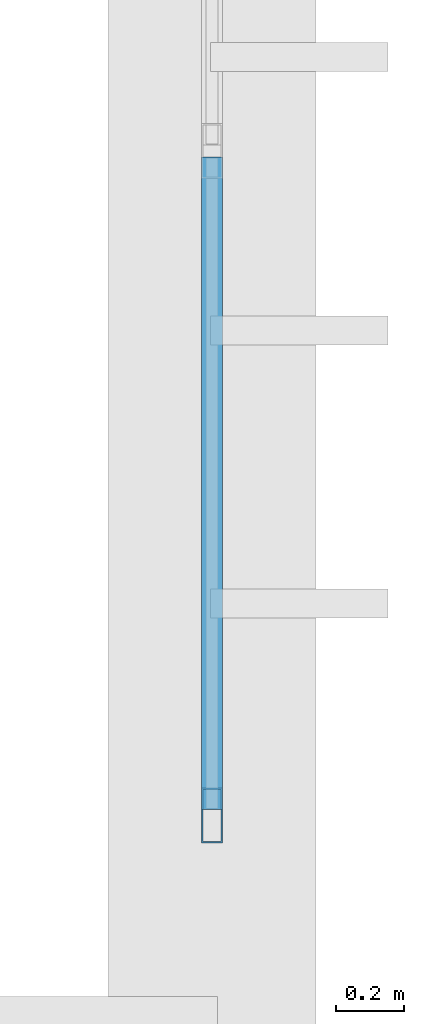
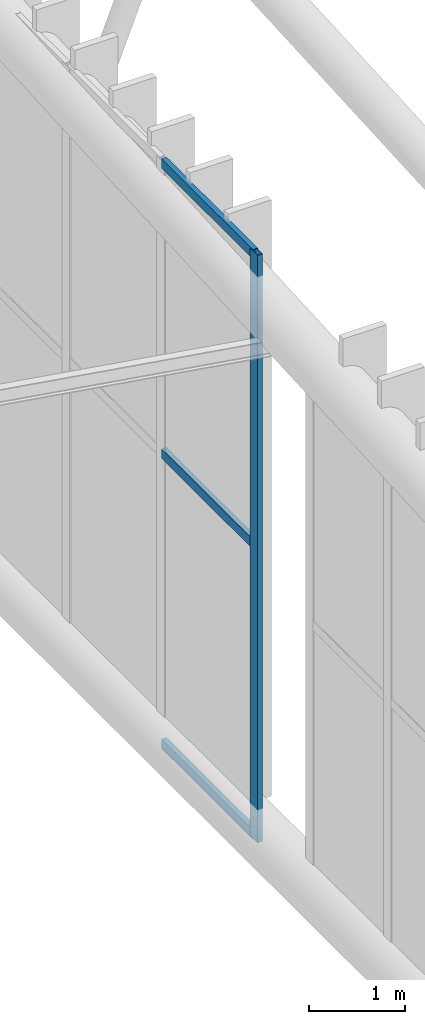
# One storey, part 169 of 397: 4 members, 1 element without a shape of its own.
"""IFC4 building model written with IfcOpenShell, lengths in metres."""

from ifc_helpers import new_model, si_unit, direction, frame, origin, origin_2d, place, context, subcontext, project, spatial, hollow_rectangle, extrude, material, material_profile, profile_set, type_object, element, aggregate, save


model = new_model("IFC4")

# Units and contexts
model_context = context("Model", 3, precision=1e-05, world=origin(), true_north=direction((0.0, 1.0)))
body_context = subcontext(model_context, "Body", "Model", "MODEL_VIEW")
ifc_project = project(units=[si_unit("LENGTHUNIT", "METRE"), si_unit("AREAUNIT", "SQUARE_METRE"), si_unit("VOLUMEUNIT", "CUBIC_METRE"), si_unit("PLANEANGLEUNIT", "RADIAN"), si_unit("MASSUNIT", "GRAM", prefix="KILO")], contexts=[model_context])

# Site, building, storey
site_placement = place(None, origin())
site = spatial("IfcSite", under=ifc_project, at=site_placement, CompositionType="ELEMENT")
building_placement = place(site_placement, origin())
building = spatial("IfcBuilding", under=site, at=building_placement, Name="Qandorah Velis Arena", CompositionType="ELEMENT")
storey_placement = place(building_placement, frame((0.0, 0.0, 27.5)))
storey = spatial("IfcBuildingStorey", under=building, at=storey_placement, Name="RF", CompositionType="ELEMENT", Elevation=27.5)

# Curtain wall, members
ifc_material_1 = material(Name="Solar-control low-E double glazing", Category="glass")
curtain_wall_type = type_object("IfcCurtainWallType", Name="ARC-CW-SYS12", PredefinedType="USERDEFINED", material=ifc_material_1)
curtain_wall_placement = place(storey_placement, origin())
curtain_wall = element("IfcCurtainWall", 1, at=curtain_wall_placement, inside=storey, type_object=curtain_wall_type, Name="Unitised curtain wall CROWN-2-04S1", ObjectType="UNITISED CURTAIN WALL", PredefinedType="USERDEFINED")
ifc_material_2 = material(Name="Champagne-bronze anodized aluminium 6063-T6", Category="aluminium")
ifc_material_profile_1 = material_profile(ifc_material_2, hollow_rectangle(XDim=0.06005859375, YDim=0.159912109375, WallThickness=0.00341796875, at=origin_2d()), Name="ALU MULLION 60x160")
ifc_profile_set_1 = profile_set([ifc_material_profile_1], Name="Champagne-bronze anodized aluminium 6063-T6")
member_type_1 = type_object("IfcMemberType", Name="ARC-CWM-160", PredefinedType="MULLION", material=ifc_profile_set_1)
member_1_placement = place(storey_placement, frame((115.199951171875, 50.97998046875, -0.014892578125), z_axis=(0.0, 0.0, 1.0), x_axis=(-1.0, 0.0, 0.0)))
member_1 = element("IfcMember", 2, at=member_1_placement, type_object=member_type_1, Name="CW12 mullion 1", PredefinedType="MULLION", context=body_context, shape_type="SweptSolid", body=[
    extrude(hollow_rectangle(XDim=0.06005859375, YDim=0.159912109375, WallThickness=0.00341796875, at=origin_2d()), origin(), (0.0, 0.0, 1.0), 7.480712890625),
])
ifc_material_profile_2 = material_profile(ifc_material_2, hollow_rectangle(XDim=0.06005859375, YDim=0.1201171875, WallThickness=0.0029296875, at=origin_2d()), Name="ALU TRANSOM 60x120")
ifc_profile_set_2 = profile_set([ifc_material_profile_2], Name="Champagne-bronze anodized aluminium 6063-T6")
member_type_2 = type_object("IfcMemberType", Name="ARC-CWT-120", PredefinedType="USERDEFINED", material=ifc_profile_set_2)
member_2_placement = place(storey_placement, frame((115.199951171875, 50.998046875, 0.030029296875), z_axis=(0.0, 1.0, 0.0), x_axis=(-1.0, 0.0, 0.0)))
member_2 = element("IfcMember", 3, at=member_2_placement, type_object=member_type_2, Name="CW12 transom 1.1", ObjectType="TRANSOM", PredefinedType="USERDEFINED", context=body_context, shape_type="SweptSolid", body=[
    extrude(hollow_rectangle(XDim=0.06005859375, YDim=0.1201171875, WallThickness=0.0029296875, at=origin_2d()), origin(), (0.0, 0.0, 1.0), 1.908935546875),
])
member_3_placement = place(storey_placement, frame((115.199951171875, 50.998046875, 3.725341796875), z_axis=(0.0, 1.0, 0.0), x_axis=(-1.0, 0.0, 0.0)))
member_3 = element("IfcMember", 4, at=member_3_placement, type_object=member_type_2, Name="CW12 transom 1.2", ObjectType="TRANSOM", PredefinedType="USERDEFINED", context=body_context, shape_type="SweptSolid", body=[
    extrude(hollow_rectangle(XDim=0.06005859375, YDim=0.1201171875, WallThickness=0.0029296875, at=origin_2d()), origin(), (0.0, 0.0, 1.0), 1.908935546875),
])
member_4_placement = place(storey_placement, frame((115.199951171875, 50.998046875, 7.420654296875), z_axis=(0.0, 1.0, 0.0), x_axis=(-1.0, 0.0, 0.0)))
member_4 = element("IfcMember", 5, at=member_4_placement, type_object=member_type_2, Name="CW12 transom 1.3", ObjectType="TRANSOM", PredefinedType="USERDEFINED", context=body_context, shape_type="SweptSolid", body=[
    extrude(hollow_rectangle(XDim=0.06005859375, YDim=0.1201171875, WallThickness=0.0029296875, at=origin_2d()), origin(), (0.0, 0.0, 1.0), 1.908935546875),
])
aggregate(curtain_wall, [member_1, member_2, member_3, member_4])

save(model, "model.ifc")
